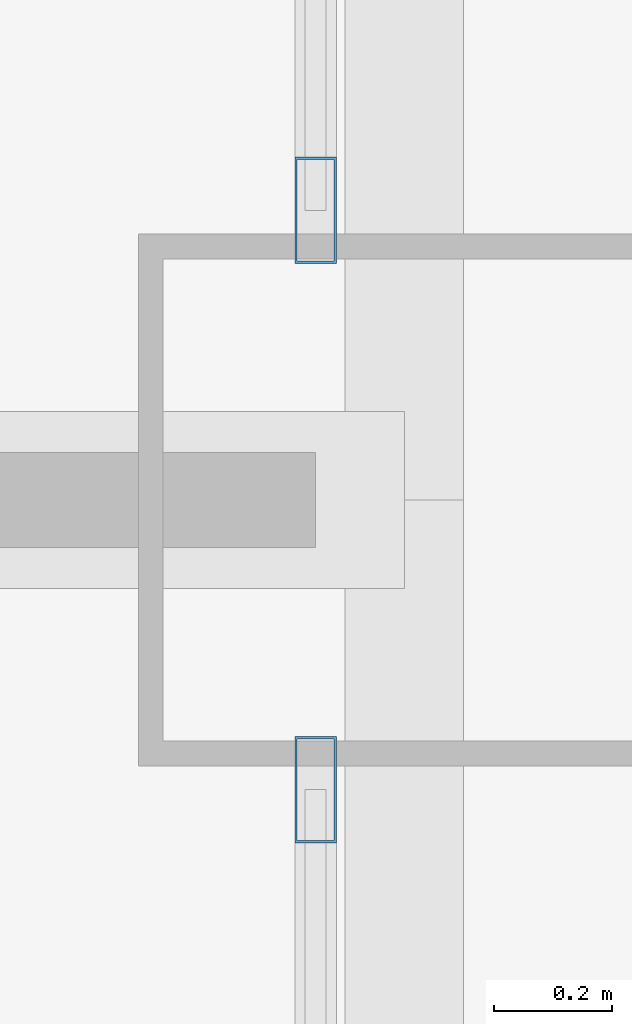
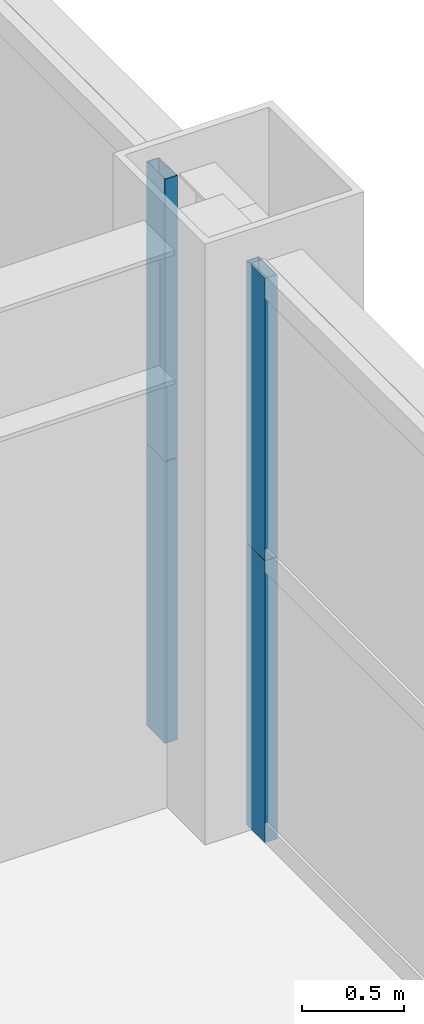
# One storey, part 21 of 43: 4 members, 2 elements without a shape of their own.
"""IFC4 building model written with IfcOpenShell, lengths in metres."""

import ifcopenshell
import ifcopenshell.guid

model = None  # the IFC model being written
_history = None  # IfcOwnerHistory: only IFC2X3 demands one
_inside = {}  # id of a spatial element -> (the spatial element, [elements in it])
_under = {}  # id of a project, library or spatial element -> (it, [spatial elements below it])
_declared = {}  # id of a project -> (the project, [libraries it declares])
_typed = {}  # id of a type object -> (the type object, [elements of that type])
_made_of = {}  # id of a material, layer set ... -> (it, [elements and type objects made of it])


def new_model(schema):
    """Start an empty IFC model of exactly this schema.

    Asked for "IFC4X3", IfcOpenShell would pick the latest addendum, in which some entities
    have other attributes; the version numbers below select the first issue.
    IFC2X3 requires an IfcOwnerHistory on every rooted entity: one is made here for all.
    """
    global model, _history
    if schema == "IFC4X3":
        model = ifcopenshell.file(schema_version=(4, 3, 0, 0))
    else:
        model = ifcopenshell.file(schema=schema)
    _inside.clear()
    _under.clear()
    _declared.clear()
    _typed.clear()
    _made_of.clear()
    _history = None
    if model.schema == "IFC2X3":
        org = make("IfcOrganization", Name="unknown")
        user = make(
            "IfcPersonAndOrganization",
            ThePerson=make("IfcPerson", FamilyName="unknown"),
            TheOrganization=org,
        )
        app = make(
            "IfcApplication",
            ApplicationDeveloper=org,
            Version="unknown",
            ApplicationFullName="unknown",
            ApplicationIdentifier="unknown",
        )
        _history = make(
            "IfcOwnerHistory",
            OwningUser=user,
            OwningApplication=app,
            ChangeAction="ADDED",
            CreationDate=0,
        )
    return model


def make(cls, **values):
    """One entity of the class cls with the attributes given. An attribute that is None is left unset."""
    return model.create_entity(
        cls, **{name: value for name, value in values.items() if value is not None}
    )


def rooted(cls, **values):
    """An entity with a GlobalId (a new one), such as an element, a storey or a relation."""
    return make(cls, GlobalId=ifcopenshell.guid.new(), OwnerHistory=_history, **values)


def si_unit(unit_type, name, prefix=None):
    """IfcSIUnit, for example si_unit("LENGTHUNIT", "METRE", prefix="MILLI")."""
    return make("IfcSIUnit", UnitType=unit_type, Prefix=prefix, Name=name)


def assignment(units):
    """IfcUnitAssignment: the units of a project."""
    return None if units is None else make("IfcUnitAssignment", Units=units)


def point(xyz):
    """IfcCartesianPoint."""
    return None if xyz is None else make("IfcCartesianPoint", Coordinates=xyz)


def direction(xyz):
    """IfcDirection."""
    return None if xyz is None else make("IfcDirection", DirectionRatios=xyz)


def frame(location, z_axis=None, x_axis=None):
    """IfcAxis2Placement3D, a coordinate frame: its origin and axes. An axis left out is left unset."""
    return make(
        "IfcAxis2Placement3D",
        Location=point(location),
        Axis=direction(z_axis),
        RefDirection=direction(x_axis),
    )


def frame_2d(location, x_axis=None):
    """IfcAxis2Placement2D, a coordinate frame in the plane: its origin and x axis."""
    return make(
        "IfcAxis2Placement2D", Location=point(location), RefDirection=direction(x_axis)
    )


def origin():
    """The frame at (0, 0, 0) with its axes left unset."""
    return frame((0.0, 0.0, 0.0))


def origin_2d():
    """The frame at (0, 0) in the plane with its x axis left unset."""
    return frame_2d((0.0, 0.0))


def place(relative_to, where):
    """IfcLocalPlacement: puts the frame where relative to a parent placement (None: the world)."""
    return make(
        "IfcLocalPlacement", PlacementRelTo=relative_to, RelativePlacement=where
    )


def context(
    kind, dimensions, precision=None, world=None, true_north=None, identifier=None
):
    """IfcGeometricRepresentationContext, for example the 3D "Model" context."""
    return make(
        "IfcGeometricRepresentationContext",
        ContextIdentifier=identifier,
        ContextType=kind,
        CoordinateSpaceDimension=dimensions,
        Precision=precision,
        WorldCoordinateSystem=world,
        TrueNorth=true_north,
    )


def subcontext(parent, identifier, kind, view, scale=None):
    """IfcGeometricRepresentationSubContext, for example "Body" below "Model"."""
    return make(
        "IfcGeometricRepresentationSubContext",
        ContextIdentifier=identifier,
        ContextType=kind,
        ParentContext=parent,
        TargetScale=scale,
        TargetView=view,
    )


def project(units=None, contexts=None):
    """IfcProject with its units and contexts."""
    return rooted(
        "IfcProject",
        Name="project",
        RepresentationContexts=contexts,
        UnitsInContext=assignment(units),
    )


def spatial(cls, under=None, at=None, **own):
    """A site, building, storey or space (cls), placed at a placement, below another one or the project."""
    s = rooted(cls, ObjectPlacement=at, **own)
    if under is not None:
        _under.setdefault(under.id(), (under, []))[1].append(s)
    return s


def profile(cls, at=None, kind="AREA", **sizes):
    """A parametric profile (cls). Its sizes go by their IFC names, for example OverallWidth=200.0."""
    return make(cls, ProfileType=kind, Position=at, **sizes)


def hollow_rectangle(**sizes):
    """IfcRectangleHollowProfileDef."""
    return profile("IfcRectangleHollowProfileDef", **sizes)


def extrude(swept, where, along, depth):
    """IfcExtrudedAreaSolid: the profile swept, set in the frame where, extruded along a direction by depth."""
    return make(
        "IfcExtrudedAreaSolid",
        SweptArea=swept,
        Position=where,
        ExtrudedDirection=direction(along),
        Depth=depth,
    )


def shape(context_of_items, identifier, shape_type, items):
    """IfcShapeRepresentation: the items that make up one representation, for example the "Body"."""
    return make(
        "IfcShapeRepresentation",
        ContextOfItems=context_of_items,
        RepresentationIdentifier=identifier,
        RepresentationType=shape_type,
        Items=items,
    )


def source(mapping_origin, context_of_items, identifier, shape_type, items):
    """IfcRepresentationMap: a shape defined once, which mapped items show again and again."""
    return make(
        "IfcRepresentationMap",
        MappingOrigin=mapping_origin,
        MappedRepresentation=shape(context_of_items, identifier, shape_type, items),
    )


def transform(
    local_origin,
    x_axis=None,
    y_axis=None,
    z_axis=None,
    scale=None,
    scale2=None,
    scale3=None,
    uniform=True,
):
    """IfcCartesianTransformationOperator3D, or its non-uniform kind. x_axis, y_axis, z_axis: its Axis1, 2, 3."""
    if uniform:
        return make(
            "IfcCartesianTransformationOperator3D",
            Axis1=direction(x_axis),
            Axis2=direction(y_axis),
            LocalOrigin=point(local_origin),
            Scale=scale,
            Axis3=direction(z_axis),
        )
    return make(
        "IfcCartesianTransformationOperator3DnonUniform",
        Axis1=direction(x_axis),
        Axis2=direction(y_axis),
        LocalOrigin=point(local_origin),
        Scale=scale,
        Axis3=direction(z_axis),
        Scale2=scale2,
        Scale3=scale3,
    )


def mapped(mapping_source, mapping_target):
    """IfcMappedItem: shows the shape of a source again, moved by a transform."""
    return make(
        "IfcMappedItem", MappingSource=mapping_source, MappingTarget=mapping_target
    )


def material(Name=None, Category=None):
    """IfcMaterial."""
    return make("IfcMaterial", Name=Name, Category=Category)


def layer(
    of_material, thickness, ventilated=None, Name=None, Category=None, Priority=None
):
    """IfcMaterialLayer: one layer of a wall or slab, of a material (None: an air gap)."""
    return make(
        "IfcMaterialLayer",
        Material=of_material,
        LayerThickness=thickness,
        IsVentilated=ventilated,
        Name=Name,
        Category=Category,
        Priority=Priority,
    )


def layer_set(layers, Name=None):
    """IfcMaterialLayerSet."""
    return make("IfcMaterialLayerSet", MaterialLayers=layers, LayerSetName=Name)


def material_profile(
    of_material, cross_section, Name=None, Category=None, Priority=None
):
    """IfcMaterialProfile: a cross section and its material."""
    return make(
        "IfcMaterialProfile",
        Name=Name,
        Material=of_material,
        Profile=cross_section,
        Priority=Priority,
        Category=Category,
    )


def profile_set(profiles, Name=None, composite=None):
    """IfcMaterialProfileSet."""
    return make(
        "IfcMaterialProfileSet",
        Name=Name,
        MaterialProfiles=profiles,
        CompositeProfile=composite,
    )


def made_of(thing, what):
    """Note that an element or type object is made of a material, layer set ...; save() writes the relation."""
    if what is not None:
        _made_of.setdefault(what.id(), (what, []))[1].append(thing)
    return thing


def type_object(cls, material=None, **own):
    """A type object (cls), such as IfcWallType, which elements share."""
    return made_of(rooted(cls, **own), material)


def element(
    cls,
    number,
    at=None,
    inside=None,
    cuts=None,
    type_object=None,
    material=None,
    context=None,
    identifier="Body",
    shape_type=None,
    held_by="IfcProductDefinitionShape",
    body=None,
    shapes=None,
    **own,
):
    """One element of the class cls, such as IfcWall. Its Tag is "e" and its number.

    at: its placement. inside: the storey or other place that contains it. cuts: it is an
    opening in that element (IfcRelVoidsElement). A single representation is given by context,
    identifier, shape_type and body (its items); several are given by shapes. held_by: the class
    of the entity that holds the representations. save() writes the other relations.
    """
    e = rooted(cls, Tag="e%d" % number, ObjectPlacement=at, **own)
    if body is not None:
        shapes = [shape(context, identifier, shape_type, body)]
    if shapes is not None:
        e.Representation = make(held_by, Representations=shapes)
    if inside is not None:
        _inside.setdefault(inside.id(), (inside, []))[1].append(e)
    if cuts is not None:
        rooted(
            "IfcRelVoidsElement", RelatingBuildingElement=cuts, RelatedOpeningElement=e
        )
    if type_object is not None:
        _typed.setdefault(type_object.id(), (type_object, []))[1].append(e)
    return made_of(e, material)


def aggregate(whole, parts):
    """IfcRelAggregates: a whole, such as a stair, and the parts it consists of."""
    return rooted("IfcRelAggregates", RelatingObject=whole, RelatedObjects=parts)


def save(model, path):
    """Write the relations noted so far, then the file.

    IfcRelAggregates (storeys below a building ...), IfcRelContainedInSpatialStructure (elements
    in a storey), IfcRelDefinesByType, IfcRelAssociatesMaterial and IfcRelDeclares: one each for
    every whole, place, type object, material and project.
    """
    for whole, parts in _under.values():
        aggregate(whole, parts)
    for where, things in _inside.values():
        rooted(
            "IfcRelContainedInSpatialStructure",
            RelatedElements=things,
            RelatingStructure=where,
        )
    for kind, things in _typed.values():
        rooted("IfcRelDefinesByType", RelatedObjects=things, RelatingType=kind)
    for what, things in _made_of.values():
        rooted("IfcRelAssociatesMaterial", RelatedObjects=things, RelatingMaterial=what)
    for by, libraries in _declared.values():
        rooted("IfcRelDeclares", RelatingContext=by, RelatedDefinitions=libraries)
    model.write(path)


model = new_model("IFC4")

# Units and contexts
model_context = context("Model", 3, precision=1e-05, world=origin(), true_north=direction((0.0, 1.0)))
body_context = subcontext(model_context, "Body", "Model", "MODEL_VIEW")
ifc_project = project(units=[si_unit("LENGTHUNIT", "METRE"), si_unit("AREAUNIT", "SQUARE_METRE"), si_unit("VOLUMEUNIT", "CUBIC_METRE"), si_unit("PLANEANGLEUNIT", "RADIAN"), si_unit("MASSUNIT", "GRAM", prefix="KILO"), si_unit("THERMODYNAMICTEMPERATUREUNIT", "KELVIN"), si_unit("POWERUNIT", "WATT")], contexts=[model_context])

# Site, building, storey
site_placement = place(None, origin())
site = spatial("IfcSite", under=ifc_project, at=site_placement, CompositionType="ELEMENT")
building_placement = place(site_placement, origin())
building = spatial("IfcBuilding", under=site, at=building_placement, Name="Yuzanri Waterfront Tower", CompositionType="ELEMENT")
storey_placement = place(building_placement, frame((0.0, 0.0, 67.60009765625)))
storey = spatial("IfcBuildingStorey", under=building, at=storey_placement, Name="L17", CompositionType="ELEMENT", Elevation=67.60009765625)

# Curtain wall, members
ifc_material_1 = material(Name="Anodized Architectural Bronze", Category="metal")
ifc_layer = layer(ifc_material_1, 0.159912109375)
ifc_layer_set = layer_set([ifc_layer], Name="Anodized Architectural Bronze")
curtain_wall_type = type_object("IfcCurtainWallType", Name="Anodized Bronze Hotel Lower-Tier Recessed Unitized Curtain Wall 8100", PredefinedType="NOTDEFINED", material=ifc_layer_set)
curtain_wall_1_placement = place(storey_placement, origin())
curtain_wall_1 = element("IfcCurtainWall", 1, at=curtain_wall_1_placement, inside=storey, type_object=curtain_wall_type, Name="L17 Curtain Wall CW-L17-EL", PredefinedType="NOTDEFINED")
ifc_material_2 = material(Name="Anodized Architectural Bronze", Category="metal")
ifc_material_profile = material_profile(ifc_material_2, hollow_rectangle(XDim=0.070068359375, YDim=0.179931640625, WallThickness=0.00390625, at=origin_2d()), Name="CWM 70x180")
ifc_profile_set = profile_set([ifc_material_profile], Name="Anodized Architectural Bronze")
member_type = type_object("IfcMemberType", Name="Anodized Bronze Standard Curtain-Wall Mullion 70x180", PredefinedType="MULLION", material=ifc_profile_set)
shared_shape = source(origin(), body_context, "Body", "SweptSolid", [
    extrude(hollow_rectangle(XDim=0.070068359375, YDim=0.179931640625, WallThickness=0.00390625, at=origin_2d()), origin(), (0.0, 0.0, 1.0), 1.68798828125),
])
member_1_placement = place(storey_placement, frame((61.949951171875, 25.31005859375, 0.0), z_axis=(0.0, 0.0, 1.0), x_axis=(1.0, 0.0, 0.0)))
member_1 = element("IfcMember", 2, at=member_1_placement, type_object=member_type, Name="CW-L17-EL Lower Mullion 02", PredefinedType="MULLION", context=body_context, shape_type="MappedRepresentation", body=[
    mapped(shared_shape, transform((0.0, 0.0, 0.0), scale=1.0)),
])
member_2_placement = place(storey_placement, frame((61.949951171875, 25.31005859375, 1.69189453125), z_axis=(0.0, 0.0, 1.0), x_axis=(1.0, 0.0, 0.0)))
member_2 = element("IfcMember", 3, at=member_2_placement, type_object=member_type, Name="CW-L17-EL Upper Mullion 02", PredefinedType="MULLION", context=body_context, shape_type="MappedRepresentation", body=[
    mapped(shared_shape, transform((0.0, 0.0, 0.0), scale=1.0)),
])
aggregate(curtain_wall_1, [member_1, member_2])

curtain_wall_2_placement = place(storey_placement, origin())
curtain_wall_2 = element("IfcCurtainWall", 4, at=curtain_wall_2_placement, inside=storey, type_object=curtain_wall_type, Name="L17 Curtain Wall CW-L17-ER", PredefinedType="NOTDEFINED")
member_3_placement = place(storey_placement, frame((61.949951171875, 26.2900390625, 0.0), z_axis=(0.0, 0.0, 1.0), x_axis=(1.0, 0.0, 0.0)))
member_3 = element("IfcMember", 5, at=member_3_placement, type_object=member_type, Name="CW-L17-ER Lower Mullion 00", PredefinedType="MULLION", context=body_context, shape_type="MappedRepresentation", body=[
    mapped(shared_shape, transform((0.0, 0.0, 0.0), scale=1.0)),
])
member_4_placement = place(storey_placement, frame((61.949951171875, 26.2900390625, 1.69189453125), z_axis=(0.0, 0.0, 1.0), x_axis=(1.0, 0.0, 0.0)))
member_4 = element("IfcMember", 6, at=member_4_placement, type_object=member_type, Name="CW-L17-ER Upper Mullion 00", PredefinedType="MULLION", context=body_context, shape_type="MappedRepresentation", body=[
    mapped(shared_shape, transform((0.0, 0.0, 0.0), scale=1.0)),
])
aggregate(curtain_wall_2, [member_3, member_4])

save(model, "model.ifc")
